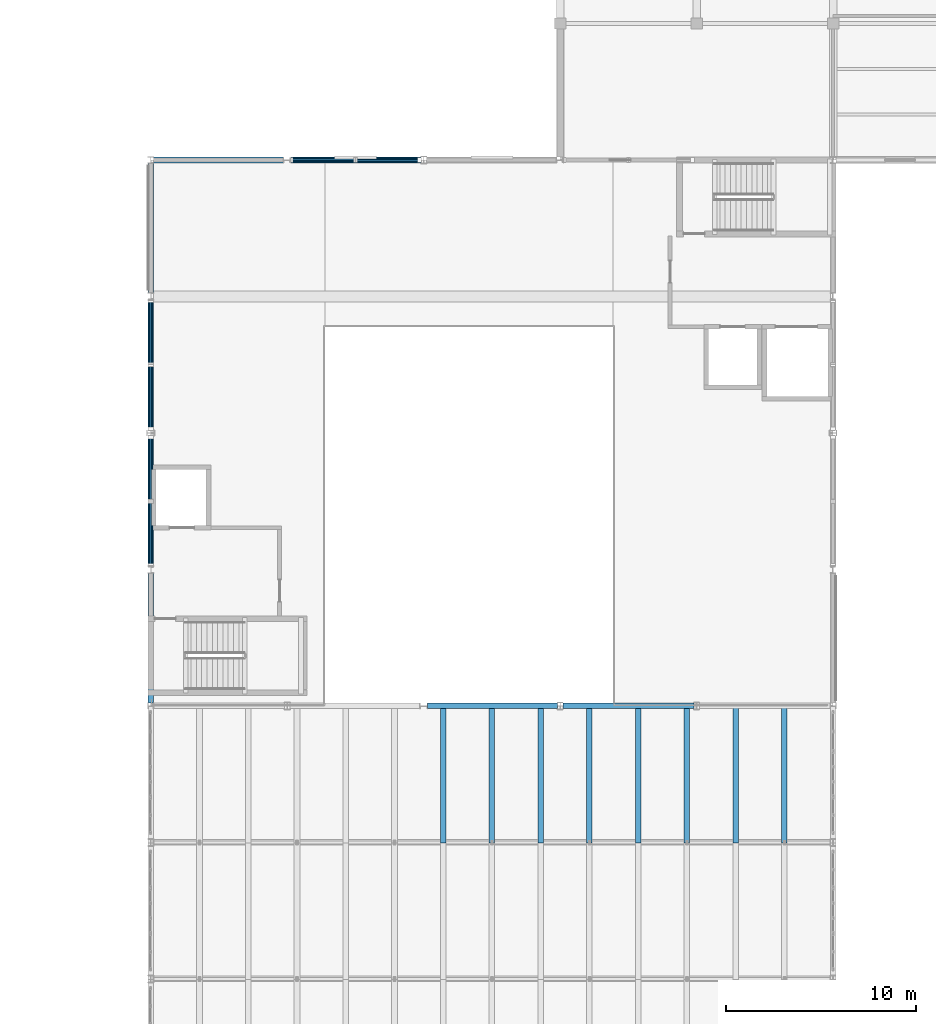
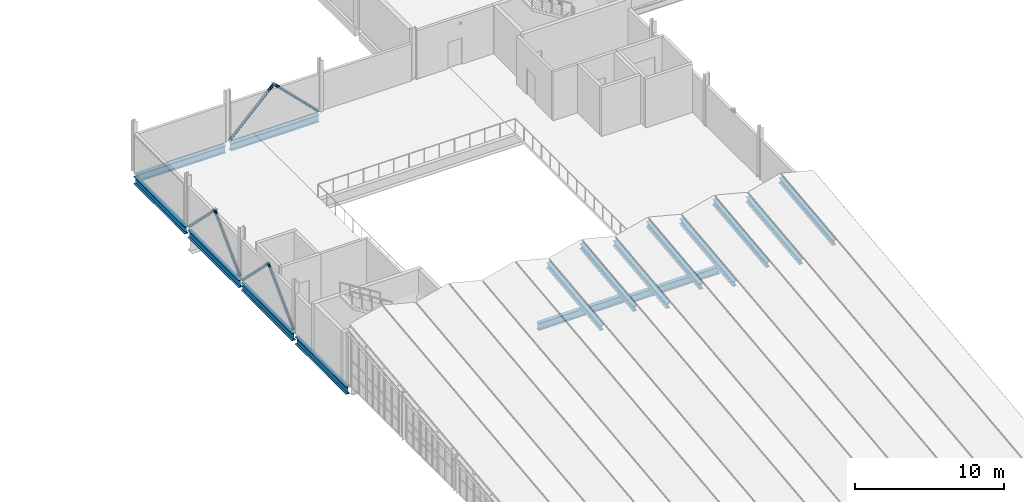
# One storey, part 17 of 48: 16 beams, 6 members.
"""IFC4 building model written with IfcOpenShell, lengths in metres."""

import ifcopenshell
import ifcopenshell.guid

model = None  # the IFC model being written
_history = None  # IfcOwnerHistory: only IFC2X3 demands one
_inside = {}  # id of a spatial element -> (the spatial element, [elements in it])
_under = {}  # id of a project, library or spatial element -> (it, [spatial elements below it])
_declared = {}  # id of a project -> (the project, [libraries it declares])
_typed = {}  # id of a type object -> (the type object, [elements of that type])
_made_of = {}  # id of a material, layer set ... -> (it, [elements and type objects made of it])


def new_model(schema):
    """Start an empty IFC model of exactly this schema.

    Asked for "IFC4X3", IfcOpenShell would pick the latest addendum, in which some entities
    have other attributes; the version numbers below select the first issue.
    IFC2X3 requires an IfcOwnerHistory on every rooted entity: one is made here for all.
    """
    global model, _history
    if schema == "IFC4X3":
        model = ifcopenshell.file(schema_version=(4, 3, 0, 0))
    else:
        model = ifcopenshell.file(schema=schema)
    _inside.clear()
    _under.clear()
    _declared.clear()
    _typed.clear()
    _made_of.clear()
    _history = None
    if model.schema == "IFC2X3":
        org = make("IfcOrganization", Name="unknown")
        user = make(
            "IfcPersonAndOrganization",
            ThePerson=make("IfcPerson", FamilyName="unknown"),
            TheOrganization=org,
        )
        app = make(
            "IfcApplication",
            ApplicationDeveloper=org,
            Version="unknown",
            ApplicationFullName="unknown",
            ApplicationIdentifier="unknown",
        )
        _history = make(
            "IfcOwnerHistory",
            OwningUser=user,
            OwningApplication=app,
            ChangeAction="ADDED",
            CreationDate=0,
        )
    return model


def make(cls, **values):
    """One entity of the class cls with the attributes given. An attribute that is None is left unset."""
    return model.create_entity(
        cls, **{name: value for name, value in values.items() if value is not None}
    )


def rooted(cls, **values):
    """An entity with a GlobalId (a new one), such as an element, a storey or a relation."""
    return make(cls, GlobalId=ifcopenshell.guid.new(), OwnerHistory=_history, **values)


def si_unit(unit_type, name, prefix=None):
    """IfcSIUnit, for example si_unit("LENGTHUNIT", "METRE", prefix="MILLI")."""
    return make("IfcSIUnit", UnitType=unit_type, Prefix=prefix, Name=name)


def assignment(units):
    """IfcUnitAssignment: the units of a project."""
    return None if units is None else make("IfcUnitAssignment", Units=units)


def point(xyz):
    """IfcCartesianPoint."""
    return None if xyz is None else make("IfcCartesianPoint", Coordinates=xyz)


def direction(xyz):
    """IfcDirection."""
    return None if xyz is None else make("IfcDirection", DirectionRatios=xyz)


def frame(location, z_axis=None, x_axis=None):
    """IfcAxis2Placement3D, a coordinate frame: its origin and axes. An axis left out is left unset."""
    return make(
        "IfcAxis2Placement3D",
        Location=point(location),
        Axis=direction(z_axis),
        RefDirection=direction(x_axis),
    )


def frame_2d(location, x_axis=None):
    """IfcAxis2Placement2D, a coordinate frame in the plane: its origin and x axis."""
    return make(
        "IfcAxis2Placement2D", Location=point(location), RefDirection=direction(x_axis)
    )


def origin():
    """The frame at (0, 0, 0) with its axes left unset."""
    return frame((0.0, 0.0, 0.0))


def origin_2d():
    """The frame at (0, 0) in the plane with its x axis left unset."""
    return frame_2d((0.0, 0.0))


def place(relative_to, where):
    """IfcLocalPlacement: puts the frame where relative to a parent placement (None: the world)."""
    return make(
        "IfcLocalPlacement", PlacementRelTo=relative_to, RelativePlacement=where
    )


def context(
    kind, dimensions, precision=None, world=None, true_north=None, identifier=None
):
    """IfcGeometricRepresentationContext, for example the 3D "Model" context."""
    return make(
        "IfcGeometricRepresentationContext",
        ContextIdentifier=identifier,
        ContextType=kind,
        CoordinateSpaceDimension=dimensions,
        Precision=precision,
        WorldCoordinateSystem=world,
        TrueNorth=true_north,
    )


def subcontext(parent, identifier, kind, view, scale=None):
    """IfcGeometricRepresentationSubContext, for example "Body" below "Model"."""
    return make(
        "IfcGeometricRepresentationSubContext",
        ContextIdentifier=identifier,
        ContextType=kind,
        ParentContext=parent,
        TargetScale=scale,
        TargetView=view,
    )


def project(units=None, contexts=None):
    """IfcProject with its units and contexts."""
    return rooted(
        "IfcProject",
        Name="project",
        RepresentationContexts=contexts,
        UnitsInContext=assignment(units),
    )


def spatial(cls, under=None, at=None, **own):
    """A site, building, storey or space (cls), placed at a placement, below another one or the project."""
    s = rooted(cls, ObjectPlacement=at, **own)
    if under is not None:
        _under.setdefault(under.id(), (under, []))[1].append(s)
    return s


def profile(cls, at=None, kind="AREA", **sizes):
    """A parametric profile (cls). Its sizes go by their IFC names, for example OverallWidth=200.0."""
    return make(cls, ProfileType=kind, Position=at, **sizes)


def hollow_circle(**sizes):
    """IfcCircleHollowProfileDef."""
    return profile("IfcCircleHollowProfileDef", **sizes)


def i_section(**sizes):
    """IfcIShapeProfileDef."""
    return profile("IfcIShapeProfileDef", **sizes)


def extrude(swept, where, along, depth):
    """IfcExtrudedAreaSolid: the profile swept, set in the frame where, extruded along a direction by depth."""
    return make(
        "IfcExtrudedAreaSolid",
        SweptArea=swept,
        Position=where,
        ExtrudedDirection=direction(along),
        Depth=depth,
    )


def shape(context_of_items, identifier, shape_type, items):
    """IfcShapeRepresentation: the items that make up one representation, for example the "Body"."""
    return make(
        "IfcShapeRepresentation",
        ContextOfItems=context_of_items,
        RepresentationIdentifier=identifier,
        RepresentationType=shape_type,
        Items=items,
    )


def material(Name=None, Category=None):
    """IfcMaterial."""
    return make("IfcMaterial", Name=Name, Category=Category)


def material_profile(
    of_material, cross_section, Name=None, Category=None, Priority=None
):
    """IfcMaterialProfile: a cross section and its material."""
    return make(
        "IfcMaterialProfile",
        Name=Name,
        Material=of_material,
        Profile=cross_section,
        Priority=Priority,
        Category=Category,
    )


def profile_set(profiles, Name=None, composite=None):
    """IfcMaterialProfileSet."""
    return make(
        "IfcMaterialProfileSet",
        Name=Name,
        MaterialProfiles=profiles,
        CompositeProfile=composite,
    )


def made_of(thing, what):
    """Note that an element or type object is made of a material, layer set ...; save() writes the relation."""
    if what is not None:
        _made_of.setdefault(what.id(), (what, []))[1].append(thing)
    return thing


def type_object(cls, material=None, **own):
    """A type object (cls), such as IfcWallType, which elements share."""
    return made_of(rooted(cls, **own), material)


def element(
    cls,
    number,
    at=None,
    inside=None,
    cuts=None,
    type_object=None,
    material=None,
    context=None,
    identifier="Body",
    shape_type=None,
    held_by="IfcProductDefinitionShape",
    body=None,
    shapes=None,
    **own,
):
    """One element of the class cls, such as IfcWall. Its Tag is "e" and its number.

    at: its placement. inside: the storey or other place that contains it. cuts: it is an
    opening in that element (IfcRelVoidsElement). A single representation is given by context,
    identifier, shape_type and body (its items); several are given by shapes. held_by: the class
    of the entity that holds the representations. save() writes the other relations.
    """
    e = rooted(cls, Tag="e%d" % number, ObjectPlacement=at, **own)
    if body is not None:
        shapes = [shape(context, identifier, shape_type, body)]
    if shapes is not None:
        e.Representation = make(held_by, Representations=shapes)
    if inside is not None:
        _inside.setdefault(inside.id(), (inside, []))[1].append(e)
    if cuts is not None:
        rooted(
            "IfcRelVoidsElement", RelatingBuildingElement=cuts, RelatedOpeningElement=e
        )
    if type_object is not None:
        _typed.setdefault(type_object.id(), (type_object, []))[1].append(e)
    return made_of(e, material)


def aggregate(whole, parts):
    """IfcRelAggregates: a whole, such as a stair, and the parts it consists of."""
    return rooted("IfcRelAggregates", RelatingObject=whole, RelatedObjects=parts)


def save(model, path):
    """Write the relations noted so far, then the file.

    IfcRelAggregates (storeys below a building ...), IfcRelContainedInSpatialStructure (elements
    in a storey), IfcRelDefinesByType, IfcRelAssociatesMaterial and IfcRelDeclares: one each for
    every whole, place, type object, material and project.
    """
    for whole, parts in _under.values():
        aggregate(whole, parts)
    for where, things in _inside.values():
        rooted(
            "IfcRelContainedInSpatialStructure",
            RelatedElements=things,
            RelatingStructure=where,
        )
    for kind, things in _typed.values():
        rooted("IfcRelDefinesByType", RelatedObjects=things, RelatingType=kind)
    for what, things in _made_of.values():
        rooted("IfcRelAssociatesMaterial", RelatedObjects=things, RelatingMaterial=what)
    for by, libraries in _declared.values():
        rooted("IfcRelDeclares", RelatingContext=by, RelatedDefinitions=libraries)
    model.write(path)


model = new_model("IFC4")

# Units and contexts
model_context = context("Model", 3, precision=1e-05, world=origin(), true_north=direction((0.0, 1.0)))
body_context = subcontext(model_context, "Body", "Model", "MODEL_VIEW")
ifc_project = project(units=[si_unit("LENGTHUNIT", "METRE"), si_unit("AREAUNIT", "SQUARE_METRE"), si_unit("VOLUMEUNIT", "CUBIC_METRE"), si_unit("PLANEANGLEUNIT", "RADIAN"), si_unit("MASSUNIT", "GRAM", prefix="KILO"), si_unit("THERMODYNAMICTEMPERATUREUNIT", "KELVIN"), si_unit("POWERUNIT", "WATT")], contexts=[model_context])

# Site, building, storey
site_placement = place(None, origin())
site = spatial("IfcSite", under=ifc_project, at=site_placement, CompositionType="ELEMENT")
building_placement = place(site_placement, origin())
building = spatial("IfcBuilding", under=site, at=building_placement, Name="Kaldorven Railside Theatre", CompositionType="ELEMENT")
storey_placement = place(building_placement, frame((0.0, 0.0, 18.89990234375)))
storey = spatial("IfcBuildingStorey", under=building, at=storey_placement, Name="L04", CompositionType="ELEMENT", Elevation=18.89990234375)

# Beams
ifc_material = material(Name="Steel S355", Category="steel")
ifc_material_profile_1 = material_profile(ifc_material, i_section(OverallWidth=0.300048828125, OverallDepth=0.449951171875, WebThickness=0.013916015625, FlangeThickness=0.02587890625, at=origin_2d()), Name="HEB 450")
ifc_profile_set_1 = profile_set([ifc_material_profile_1], Name="Steel S355")
beam_type_1 = type_object("IfcBeamType", Name="BM-HEB450", PredefinedType="BEAM", material=ifc_profile_set_1)
for number, where, z_axis, x_axis, name in (
    (1, (102.628662109375, 76.800048828125, 3.644287109375), (0.0, 0.993575928723, 0.11316745938), (-1.0, 0.0, 0.0), "V1 Folded-Plate Valley Girder VB-047"),
    (2, (105.199951171875, 76.800048828125, 4.309326171875), (0.0, 0.993575928723, 0.11316745938), (-1.0, 0.0, 0.0), "V1 Folded-Plate Ridge Girder RB-053"),
    (3, (107.771484375, 76.800048828125, 3.644287109375), (0.0, 0.993575928723, 0.11316745938), (-1.0, 0.0, 0.0), "V1 Folded-Plate Valley Girder VB-059"),
    (4, (110.3427734375, 76.800048828125, 4.309326171875), (0.0, 0.993575928723, 0.11316745938), (-1.0, 0.0, 0.0), "V1 Folded-Plate Ridge Girder RB-065"),
    (5, (112.914306640625, 76.800048828125, 3.644287109375), (0.0, 0.993575928723, 0.11316745938), (-1.0, 0.0, 0.0), "V1 Folded-Plate Valley Girder VB-071"),
    (6, (115.485595703125, 76.800048828125, 4.309326171875), (0.0, 0.993575928723, 0.11316745938), (-1.0, 0.0, 0.0), "V1 Folded-Plate Ridge Girder RB-077"),
    (7, (118.05712890625, 76.800048828125, 3.644287109375), (0.0, 0.993575928723, 0.11316745938), (-1.0, 0.0, 0.0), "V1 Folded-Plate Valley Girder VB-083"),
    (8, (120.62841796875, 76.800048828125, 4.309326171875), (0.0, 0.993575928723, 0.11316745938), (-1.0, 0.0, 0.0), "V1 Folded-Plate Ridge Girder RB-089"),
):
    element("IfcBeam", number, at=place(storey_placement, frame(where, z_axis=z_axis, x_axis=x_axis)), inside=storey, type_object=beam_type_1, Name=name, PredefinedType="BEAM", context=body_context, shape_type="SweptSolid", body=[
        extrude(i_section(OverallWidth=0.300048828125, OverallDepth=0.449951171875, WebThickness=0.013916015625, FlangeThickness=0.02587890625, at=origin_2d()), origin(), (0.0, 0.0, 1.0), 7.24658203125),
    ])
ifc_material_profile_2 = material_profile(ifc_material, i_section(OverallWidth=0.300048828125, OverallDepth=0.60009765625, WebThickness=0.015380859375, FlangeThickness=0.030029296875, at=origin_2d()), Name="HEB 600")
ifc_profile_set_2 = profile_set([ifc_material_profile_2], Name="Steel S355")
beam_type_2 = type_object("IfcBeamType", Name="BM-HEB600", PredefinedType="BEAM", material=ifc_profile_set_2)
beam_1_placement = place(storey_placement, frame((87.199951171875, 84.154541015625, -0.539794921875), z_axis=(0.0, 1.0, 0.0), x_axis=(-1.0, 0.0, 0.0)))
element("IfcBeam", 9, at=beam_1_placement, inside=storey, type_object=beam_type_2, Name="L04 Girder BGY-L04-087-084-72", PredefinedType="BEAM", context=body_context, shape_type="SweptSolid", body=[
    extrude(i_section(OverallWidth=0.300048828125, OverallDepth=0.60009765625, WebThickness=0.015380859375, FlangeThickness=0.030029296875, at=origin_2d()), origin(), (0.0, 0.0, 1.0), 6.845458984375),
])
beam_2_placement = place(storey_placement, frame((101.800048828125, 84.0, -0.2998046875), z_axis=(1.0, 0.0, 0.0), x_axis=(0.0, 1.0, 0.0)))
element("IfcBeam", 10, at=beam_2_placement, inside=storey, type_object=beam_type_2, Name="L04 Girder BGX-L04-101-084", PredefinedType="BEAM", context=body_context, shape_type="SweptSolid", body=[
    extrude(i_section(OverallWidth=0.300048828125, OverallDepth=0.60009765625, WebThickness=0.015380859375, FlangeThickness=0.030029296875, at=origin_2d()), origin(), (0.0, 0.0, 1.0), 6.849853515625),
])
beam_3_placement = place(storey_placement, frame((108.949951171875, 84.0, -0.539794921875), z_axis=(1.0, 0.0, 0.0), x_axis=(0.0, 1.0, 0.0)))
element("IfcBeam", 11, at=beam_3_placement, inside=storey, type_object=beam_type_2, Name="L04 Girder BGX-L04-108-084", PredefinedType="BEAM", context=body_context, shape_type="SweptSolid", body=[
    extrude(i_section(OverallWidth=0.300048828125, OverallDepth=0.60009765625, WebThickness=0.015380859375, FlangeThickness=0.030029296875, at=origin_2d()), origin(), (0.0, 0.0, 1.0), 6.900146484375),
])
beam_4_placement = place(storey_placement, frame((87.199951171875, 91.39990234375, -0.539794921875), z_axis=(0.0, 1.0, 0.0), x_axis=(-1.0, 0.0, 0.0)))
element("IfcBeam", 12, at=beam_4_placement, inside=storey, type_object=beam_type_2, Name="L04 Girder BGY-L04-087-091-72", PredefinedType="BEAM", context=body_context, shape_type="SweptSolid", body=[
    extrude(i_section(OverallWidth=0.300048828125, OverallDepth=0.60009765625, WebThickness=0.015380859375, FlangeThickness=0.030029296875, at=origin_2d()), origin(), (0.0, 0.0, 1.0), 6.85009765625),
])
beam_5_placement = place(storey_placement, frame((87.199951171875, 98.550048828125, -0.539794921875), z_axis=(0.0, 1.0, 0.0), x_axis=(-1.0, 0.0, 0.0)))
element("IfcBeam", 13, at=beam_5_placement, inside=storey, type_object=beam_type_2, Name="L04 Girder BGY-L04-087-098-72", PredefinedType="BEAM", context=body_context, shape_type="SweptSolid", body=[
    extrude(i_section(OverallWidth=0.300048828125, OverallDepth=0.60009765625, WebThickness=0.015380859375, FlangeThickness=0.030029296875, at=origin_2d()), origin(), (0.0, 0.0, 1.0), 6.849853515625),
])
beam_6_placement = place(storey_placement, frame((87.199951171875, 105.800048828125, -0.539794921875), z_axis=(0.0, 1.0, 0.0), x_axis=(-1.0, 0.0, 0.0)))
element("IfcBeam", 14, at=beam_6_placement, inside=storey, type_object=beam_type_2, Name="L04 Girder BGY-L04-087-105-72", PredefinedType="BEAM", context=body_context, shape_type="SweptSolid", body=[
    extrude(i_section(OverallWidth=0.300048828125, OverallDepth=0.60009765625, WebThickness=0.015380859375, FlangeThickness=0.030029296875, at=origin_2d()), origin(), (0.0, 0.0, 1.0), 6.839599609375),
])
beam_7_placement = place(storey_placement, frame((87.3544921875, 112.800048828125, -0.539794921875), z_axis=(1.0, 0.0, 0.0), x_axis=(0.0, 1.0, 0.0)))
element("IfcBeam", 15, at=beam_7_placement, inside=storey, type_object=beam_type_2, Name="L04 Girder BGX-L04-087-112", PredefinedType="BEAM", context=body_context, shape_type="SweptSolid", body=[
    extrude(i_section(OverallWidth=0.300048828125, OverallDepth=0.60009765625, WebThickness=0.015380859375, FlangeThickness=0.030029296875, at=origin_2d()), origin(), (0.0, 0.0, 1.0), 6.845458984375),
])
beam_8_placement = place(storey_placement, frame((94.60009765625, 112.800048828125, -0.539794921875), z_axis=(1.0, 0.0, 0.0), x_axis=(0.0, 1.0, 0.0)))
element("IfcBeam", 16, at=beam_8_placement, inside=storey, type_object=beam_type_2, Name="L04 Girder BGX-L04-094-112", PredefinedType="BEAM", context=body_context, shape_type="SweptSolid", body=[
    extrude(i_section(OverallWidth=0.300048828125, OverallDepth=0.60009765625, WebThickness=0.015380859375, FlangeThickness=0.030029296875, at=origin_2d()), origin(), (0.0, 0.0, 1.0), 6.849853515625),
])

# Members
ifc_material_profile_3 = material_profile(ifc_material, hollow_circle(Radius=0.109619140625, WallThickness=0.010009765625, at=origin_2d()), Name="CHS 219.1x10")
ifc_profile_set_3 = profile_set([ifc_material_profile_3], Name="Steel S355")
member_type = type_object("IfcMemberType", Name="MEM-CHS219", PredefinedType="BRACE", material=ifc_profile_set_3)
member_placement = place(storey_placement, frame((87.199951171875, 91.419921875, 0.0400390625), z_axis=(0.0, 0.709203868698, 0.705003455753), x_axis=(-1.0, 0.0, 0.0)))
element("IfcMember", 17, at=member_placement, inside=storey, type_object=member_type, Name="Fly-Tower Concentric Chevron Brace BR-037", PredefinedType="BRACE", context=body_context, shape_type="SweptSolid", body=[
    extrude(hollow_circle(Radius=0.109619140625, WallThickness=0.010009765625, at=origin_2d()), origin(), (0.0, 0.0, 1.0), 4.76611328125),
])
for number, where, z_axis, x_axis, name in (
    (18, (87.199951171875, 98.179931640625, 0.0400390625), (0.0, -0.70917840718, 0.705029068046), (1.0, 0.0, 0.0), "Fly-Tower Concentric Chevron Brace BR-038"),
    (19, (87.199951171875, 98.6201171875, 0.0400390625), (0.0, 0.70917840718, 0.705029068046), (-1.0, 0.0, 0.0), "Fly-Tower Concentric Chevron Brace BR-039"),
    (20, (87.199951171875, 105.3798828125, 0.0400390625), (0.0, -0.70917840718, 0.705029068046), (1.0, 0.0, 0.0), "Fly-Tower Concentric Chevron Brace BR-040"),
    (21, (94.6201171875, 112.800048828125, 0.0400390625), (0.70917840718, 0.0, 0.705029068046), (0.0, 1.0, 0.0), "Fly-Tower Concentric Chevron Brace BR-045"),
    (22, (101.3798828125, 112.800048828125, 0.0400390625), (-0.70917840718, 0.0, 0.705029068046), (0.0, -1.0, 0.0), "Fly-Tower Concentric Chevron Brace BR-046"),
):
    element("IfcMember", number, at=place(storey_placement, frame(where, z_axis=z_axis, x_axis=x_axis)), inside=storey, type_object=member_type, Name=name, PredefinedType="BRACE", context=body_context, shape_type="SweptSolid", body=[
        extrude(hollow_circle(Radius=0.109619140625, WallThickness=0.010009765625, at=origin_2d()), origin(), (0.0, 0.0, 1.0), 4.765869140625),
    ])

save(model, "model.ifc")
